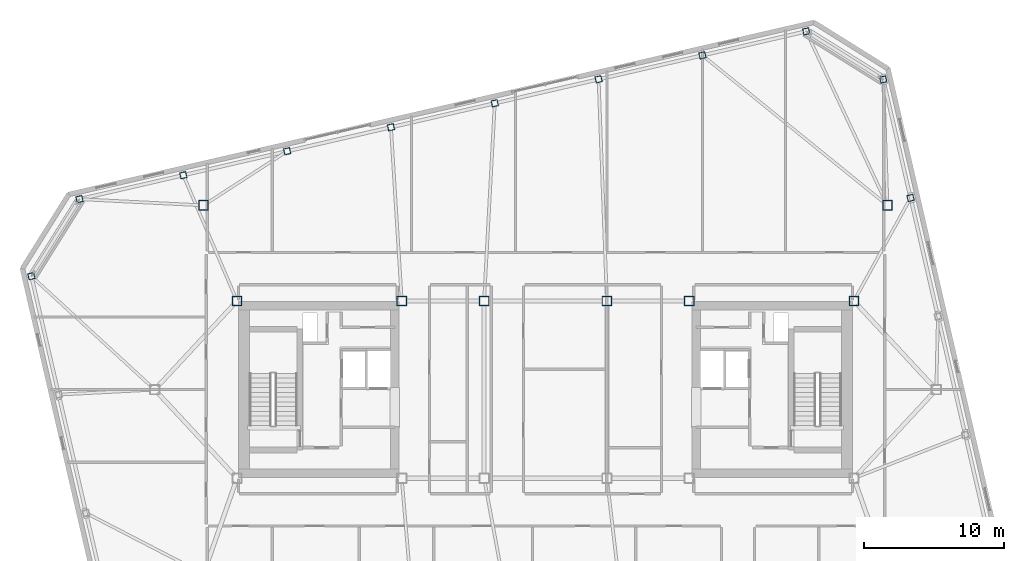
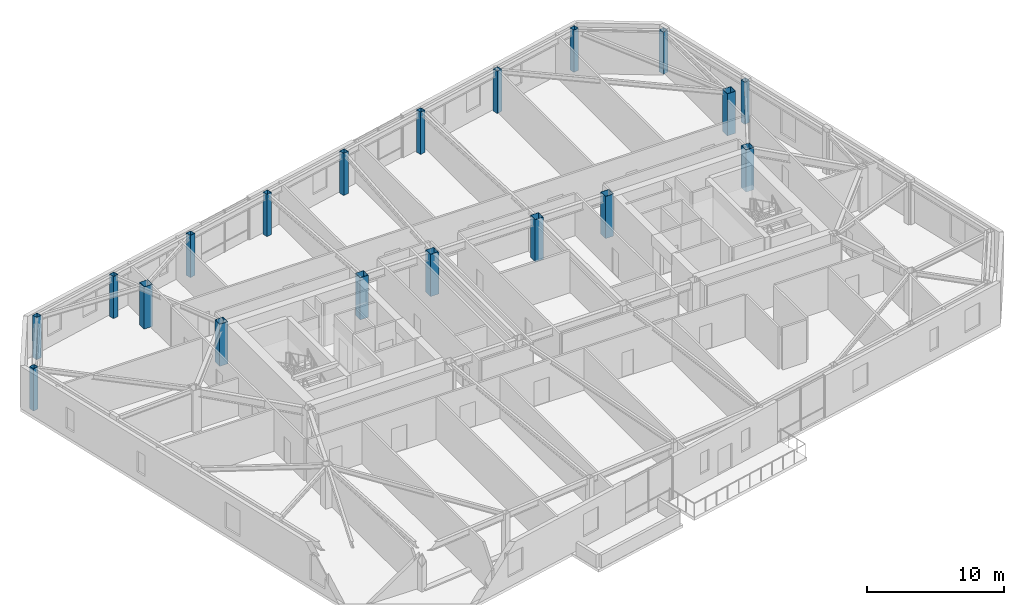
# One storey, part 2 of 23: 19 columns.
"""IFC4 building model written with IfcOpenShell, lengths in metres."""

import ifcopenshell
import ifcopenshell.guid

model = None  # the IFC model being written
_history = None  # IfcOwnerHistory: only IFC2X3 demands one
_inside = {}  # id of a spatial element -> (the spatial element, [elements in it])
_under = {}  # id of a project, library or spatial element -> (it, [spatial elements below it])
_declared = {}  # id of a project -> (the project, [libraries it declares])
_typed = {}  # id of a type object -> (the type object, [elements of that type])
_made_of = {}  # id of a material, layer set ... -> (it, [elements and type objects made of it])


def new_model(schema):
    """Start an empty IFC model of exactly this schema.

    Asked for "IFC4X3", IfcOpenShell would pick the latest addendum, in which some entities
    have other attributes; the version numbers below select the first issue.
    IFC2X3 requires an IfcOwnerHistory on every rooted entity: one is made here for all.
    """
    global model, _history
    if schema == "IFC4X3":
        model = ifcopenshell.file(schema_version=(4, 3, 0, 0))
    else:
        model = ifcopenshell.file(schema=schema)
    _inside.clear()
    _under.clear()
    _declared.clear()
    _typed.clear()
    _made_of.clear()
    _history = None
    if model.schema == "IFC2X3":
        org = make("IfcOrganization", Name="unknown")
        user = make(
            "IfcPersonAndOrganization",
            ThePerson=make("IfcPerson", FamilyName="unknown"),
            TheOrganization=org,
        )
        app = make(
            "IfcApplication",
            ApplicationDeveloper=org,
            Version="unknown",
            ApplicationFullName="unknown",
            ApplicationIdentifier="unknown",
        )
        _history = make(
            "IfcOwnerHistory",
            OwningUser=user,
            OwningApplication=app,
            ChangeAction="ADDED",
            CreationDate=0,
        )
    return model


def make(cls, **values):
    """One entity of the class cls with the attributes given. An attribute that is None is left unset."""
    return model.create_entity(
        cls, **{name: value for name, value in values.items() if value is not None}
    )


def rooted(cls, **values):
    """An entity with a GlobalId (a new one), such as an element, a storey or a relation."""
    return make(cls, GlobalId=ifcopenshell.guid.new(), OwnerHistory=_history, **values)


def si_unit(unit_type, name, prefix=None):
    """IfcSIUnit, for example si_unit("LENGTHUNIT", "METRE", prefix="MILLI")."""
    return make("IfcSIUnit", UnitType=unit_type, Prefix=prefix, Name=name)


def assignment(units):
    """IfcUnitAssignment: the units of a project."""
    return None if units is None else make("IfcUnitAssignment", Units=units)


def point(xyz):
    """IfcCartesianPoint."""
    return None if xyz is None else make("IfcCartesianPoint", Coordinates=xyz)


def direction(xyz):
    """IfcDirection."""
    return None if xyz is None else make("IfcDirection", DirectionRatios=xyz)


def frame(location, z_axis=None, x_axis=None):
    """IfcAxis2Placement3D, a coordinate frame: its origin and axes. An axis left out is left unset."""
    return make(
        "IfcAxis2Placement3D",
        Location=point(location),
        Axis=direction(z_axis),
        RefDirection=direction(x_axis),
    )


def frame_2d(location, x_axis=None):
    """IfcAxis2Placement2D, a coordinate frame in the plane: its origin and x axis."""
    return make(
        "IfcAxis2Placement2D", Location=point(location), RefDirection=direction(x_axis)
    )


def origin():
    """The frame at (0, 0, 0) with its axes left unset."""
    return frame((0.0, 0.0, 0.0))


def origin_2d():
    """The frame at (0, 0) in the plane with its x axis left unset."""
    return frame_2d((0.0, 0.0))


def place(relative_to, where):
    """IfcLocalPlacement: puts the frame where relative to a parent placement (None: the world)."""
    return make(
        "IfcLocalPlacement", PlacementRelTo=relative_to, RelativePlacement=where
    )


def context(
    kind, dimensions, precision=None, world=None, true_north=None, identifier=None
):
    """IfcGeometricRepresentationContext, for example the 3D "Model" context."""
    return make(
        "IfcGeometricRepresentationContext",
        ContextIdentifier=identifier,
        ContextType=kind,
        CoordinateSpaceDimension=dimensions,
        Precision=precision,
        WorldCoordinateSystem=world,
        TrueNorth=true_north,
    )


def subcontext(parent, identifier, kind, view, scale=None):
    """IfcGeometricRepresentationSubContext, for example "Body" below "Model"."""
    return make(
        "IfcGeometricRepresentationSubContext",
        ContextIdentifier=identifier,
        ContextType=kind,
        ParentContext=parent,
        TargetScale=scale,
        TargetView=view,
    )


def project(units=None, contexts=None):
    """IfcProject with its units and contexts."""
    return rooted(
        "IfcProject",
        Name="project",
        RepresentationContexts=contexts,
        UnitsInContext=assignment(units),
    )


def spatial(cls, under=None, at=None, **own):
    """A site, building, storey or space (cls), placed at a placement, below another one or the project."""
    s = rooted(cls, ObjectPlacement=at, **own)
    if under is not None:
        _under.setdefault(under.id(), (under, []))[1].append(s)
    return s


def profile(cls, at=None, kind="AREA", **sizes):
    """A parametric profile (cls). Its sizes go by their IFC names, for example OverallWidth=200.0."""
    return make(cls, ProfileType=kind, Position=at, **sizes)


def hollow_rectangle(**sizes):
    """IfcRectangleHollowProfileDef."""
    return profile("IfcRectangleHollowProfileDef", **sizes)


def extrude(swept, where, along, depth):
    """IfcExtrudedAreaSolid: the profile swept, set in the frame where, extruded along a direction by depth."""
    return make(
        "IfcExtrudedAreaSolid",
        SweptArea=swept,
        Position=where,
        ExtrudedDirection=direction(along),
        Depth=depth,
    )


def shape(context_of_items, identifier, shape_type, items):
    """IfcShapeRepresentation: the items that make up one representation, for example the "Body"."""
    return make(
        "IfcShapeRepresentation",
        ContextOfItems=context_of_items,
        RepresentationIdentifier=identifier,
        RepresentationType=shape_type,
        Items=items,
    )


def material(Name=None, Category=None):
    """IfcMaterial."""
    return make("IfcMaterial", Name=Name, Category=Category)


def material_profile(
    of_material, cross_section, Name=None, Category=None, Priority=None
):
    """IfcMaterialProfile: a cross section and its material."""
    return make(
        "IfcMaterialProfile",
        Name=Name,
        Material=of_material,
        Profile=cross_section,
        Priority=Priority,
        Category=Category,
    )


def profile_set(profiles, Name=None, composite=None):
    """IfcMaterialProfileSet."""
    return make(
        "IfcMaterialProfileSet",
        Name=Name,
        MaterialProfiles=profiles,
        CompositeProfile=composite,
    )


def made_of(thing, what):
    """Note that an element or type object is made of a material, layer set ...; save() writes the relation."""
    if what is not None:
        _made_of.setdefault(what.id(), (what, []))[1].append(thing)
    return thing


def type_object(cls, material=None, **own):
    """A type object (cls), such as IfcWallType, which elements share."""
    return made_of(rooted(cls, **own), material)


def element(
    cls,
    number,
    at=None,
    inside=None,
    cuts=None,
    type_object=None,
    material=None,
    context=None,
    identifier="Body",
    shape_type=None,
    held_by="IfcProductDefinitionShape",
    body=None,
    shapes=None,
    **own,
):
    """One element of the class cls, such as IfcWall. Its Tag is "e" and its number.

    at: its placement. inside: the storey or other place that contains it. cuts: it is an
    opening in that element (IfcRelVoidsElement). A single representation is given by context,
    identifier, shape_type and body (its items); several are given by shapes. held_by: the class
    of the entity that holds the representations. save() writes the other relations.
    """
    e = rooted(cls, Tag="e%d" % number, ObjectPlacement=at, **own)
    if body is not None:
        shapes = [shape(context, identifier, shape_type, body)]
    if shapes is not None:
        e.Representation = make(held_by, Representations=shapes)
    if inside is not None:
        _inside.setdefault(inside.id(), (inside, []))[1].append(e)
    if cuts is not None:
        rooted(
            "IfcRelVoidsElement", RelatingBuildingElement=cuts, RelatedOpeningElement=e
        )
    if type_object is not None:
        _typed.setdefault(type_object.id(), (type_object, []))[1].append(e)
    return made_of(e, material)


def aggregate(whole, parts):
    """IfcRelAggregates: a whole, such as a stair, and the parts it consists of."""
    return rooted("IfcRelAggregates", RelatingObject=whole, RelatedObjects=parts)


def save(model, path):
    """Write the relations noted so far, then the file.

    IfcRelAggregates (storeys below a building ...), IfcRelContainedInSpatialStructure (elements
    in a storey), IfcRelDefinesByType, IfcRelAssociatesMaterial and IfcRelDeclares: one each for
    every whole, place, type object, material and project.
    """
    for whole, parts in _under.values():
        aggregate(whole, parts)
    for where, things in _inside.values():
        rooted(
            "IfcRelContainedInSpatialStructure",
            RelatedElements=things,
            RelatingStructure=where,
        )
    for kind, things in _typed.values():
        rooted("IfcRelDefinesByType", RelatedObjects=things, RelatingType=kind)
    for what, things in _made_of.values():
        rooted("IfcRelAssociatesMaterial", RelatedObjects=things, RelatingMaterial=what)
    for by, libraries in _declared.values():
        rooted("IfcRelDeclares", RelatingContext=by, RelatedDefinitions=libraries)
    model.write(path)


model = new_model("IFC4")

# Units and contexts
model_context = context("Model", 3, precision=1e-05, world=origin(), true_north=direction((0.0, 1.0)))
body_context = subcontext(model_context, "Body", "Model", "MODEL_VIEW")
ifc_project = project(units=[si_unit("LENGTHUNIT", "METRE"), si_unit("AREAUNIT", "SQUARE_METRE"), si_unit("VOLUMEUNIT", "CUBIC_METRE"), si_unit("PLANEANGLEUNIT", "RADIAN"), si_unit("MASSUNIT", "GRAM", prefix="KILO")], contexts=[model_context])

# Site, building, storey
site_placement = place(None, origin())
site = spatial("IfcSite", under=ifc_project, at=site_placement, CompositionType="ELEMENT")
building_placement = place(site_placement, origin())
building = spatial("IfcBuilding", under=site, at=building_placement, Name="Tavrogorsk Clinical Tower", CompositionType="ELEMENT")
storey_placement = place(building_placement, frame((0.0, 0.0, 289.0)))
storey = spatial("IfcBuildingStorey", under=building, at=storey_placement, Name="L67", CompositionType="ELEMENT", Elevation=289.0)

# Columns
ifc_material_1 = material(Name="Structural steel S440", Category="steel")
ifc_material_profile_1 = material_profile(ifc_material_1, hollow_rectangle(XDim=0.699951171875, YDim=0.699951171875, WallThickness=0.031982421875, at=origin_2d()), Name="BOX-700x700x32")
ifc_profile_set_1 = profile_set([ifc_material_profile_1], Name="Structural steel S440")
column_type_1 = type_object("IfcColumnType", Name="MegaCol_BOX700", PredefinedType="COLUMN", material=ifc_profile_set_1)
for number, where, z_axis, x_axis, name in (
    (1, (-22.10009765625, 6.35009765625, 0.0), (0.0, 0.0, 1.0), (1.0, 0.0, 0.0), "L67 Mega Column MC-W2"),
    (2, (-10.300048828125, 6.35009765625, 0.0), (0.0, 0.0, 1.0), (1.0, 0.0, 0.0), "L67 Mega Column MC-W4"),
    (3, (10.300048828125, 6.35009765625, 0.0), (0.0, 0.0, 1.0), (1.0, 0.0, 0.0), "L67 Mega Column MC-E2"),
    (4, (22.10009765625, 6.35009765625, 0.0), (0.0, 0.0, 1.0), (1.0, 0.0, 0.0), "L67 Mega Column MC-E4"),
    (5, (-4.39990234375, 6.35009765625, 0.0), (0.0, 0.0, 1.0), (1.0, 0.0, 0.0), "L67 Mega Column MC-C3"),
    (6, (4.39990234375, 6.35009765625, 0.0), (0.0, 0.0, 1.0), (1.0, 0.0, 0.0), "L67 Mega Column MC-C4"),
    (7, (-24.5, 13.199951171875, 0.0), (0.0, 0.0, 1.0), (1.0, 0.0, 0.0), "L67 Spine Pilotis Column MC-P3"),
    (8, (24.5, 13.199951171875, 0.0), (0.0, 0.0, 1.0), (1.0, 0.0, 0.0), "L67 Spine Pilotis Column MC-P4"),
):
    element("IfcColumn", number, at=place(storey_placement, frame(where, z_axis=z_axis, x_axis=x_axis)), inside=storey, type_object=column_type_1, Name=name, PredefinedType="COLUMN", context=body_context, shape_type="SweptSolid", body=[
        extrude(hollow_rectangle(XDim=0.699951171875, YDim=0.699951171875, WallThickness=0.031982421875, at=origin_2d()), origin(), (0.0, 0.0, 1.0), 3.739990234375),
    ])
ifc_material_2 = material(Name="Structural steel S440", Category="steel")
ifc_material_profile_2 = material_profile(ifc_material_2, hollow_rectangle(XDim=0.449951171875, YDim=0.449951171875, WallThickness=0.02197265625, at=origin_2d()), Name="BOX-450x450x22")
ifc_profile_set_2 = profile_set([ifc_material_profile_2], Name="Structural steel S440")
column_type_2 = type_object("IfcColumnType", Name="PerimCol_B5_BOX450", PredefinedType="COLUMN", material=ifc_profile_set_2)
for number, where, z_axis, x_axis, name in (
    (9, (18.681640625, 25.666259765625, 0.0), (0.0, 0.0, 1.0), (0.974370064785, 0.224951054344, 0.0), "L67 Perimeter Column N1"),
    (10, (11.2431640625, 23.948974609375, 0.0), (0.0, 0.0, 1.0), (0.974370064785, 0.224951054344, 0.0), "L67 Perimeter Column N2"),
    (11, (3.804443359375, 22.231689453125, 0.0), (0.0, 0.0, 1.0), (0.974370064785, 0.224951054344, 0.0), "L67 Perimeter Column N3"),
    (12, (-3.63427734375, 20.514404296875, 0.0), (0.0, 0.0, 1.0), (0.974370064785, 0.224951054344, 0.0), "L67 Perimeter Column N4"),
    (13, (-11.07275390625, 18.797119140625, 0.0), (0.0, 0.0, 1.0), (0.974370064785, 0.224951054344, 0.0), "L67 Perimeter Column N5"),
    (14, (-18.51123046875, 17.07958984375, 0.0), (0.0, 0.0, 1.0), (0.974370064785, 0.224951054344, 0.0), "L67 Perimeter Column N6"),
    (15, (-25.949951171875, 15.3623046875, 0.0), (0.0, 0.0, 1.0), (0.974370064785, 0.224951054344, 0.0), "L67 Perimeter Column N7"),
    (16, (-33.388671875, 13.64501953125, 0.0), (0.0, 0.0, 1.0), (0.974370064785, 0.224951054344, 0.0), "L67 Perimeter Column N8"),
    (17, (26.157958984375, 13.732177734375, 0.0), (0.0, 0.0, 1.0), (0.974370064785, 0.224951054344, 0.0), "L67 Perimeter Column E4"),
    (18, (24.198486328125, 22.218994140625, 0.0), (0.0, 0.0, 1.0), (0.974370064785, 0.224951054344, 0.0), "L67 Perimeter Column E5"),
    (19, (-36.8359375, 8.128173828125, 0.0), (0.0, 0.0, 1.0), (0.974370064785, 0.224951054344, 0.0), "L67 Perimeter Column W1"),
):
    element("IfcColumn", number, at=place(storey_placement, frame(where, z_axis=z_axis, x_axis=x_axis)), inside=storey, type_object=column_type_2, Name=name, PredefinedType="COLUMN", context=body_context, shape_type="SweptSolid", body=[
        extrude(hollow_rectangle(XDim=0.449951171875, YDim=0.449951171875, WallThickness=0.02197265625, at=origin_2d()), origin(), (0.0, 0.0, 1.0), 3.739990234375),
    ])

save(model, "model.ifc")
